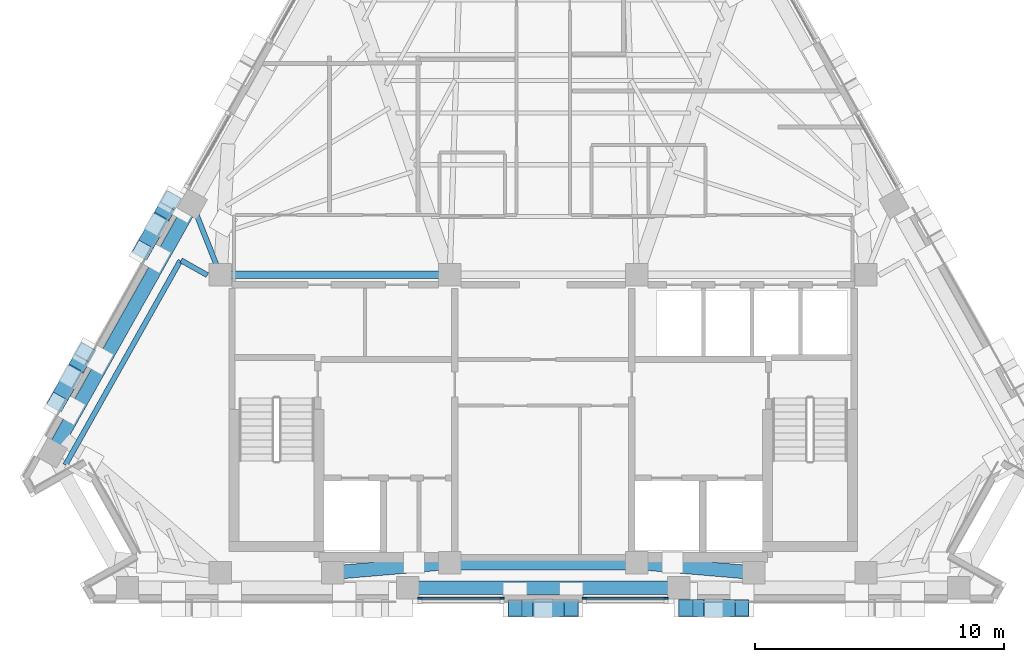
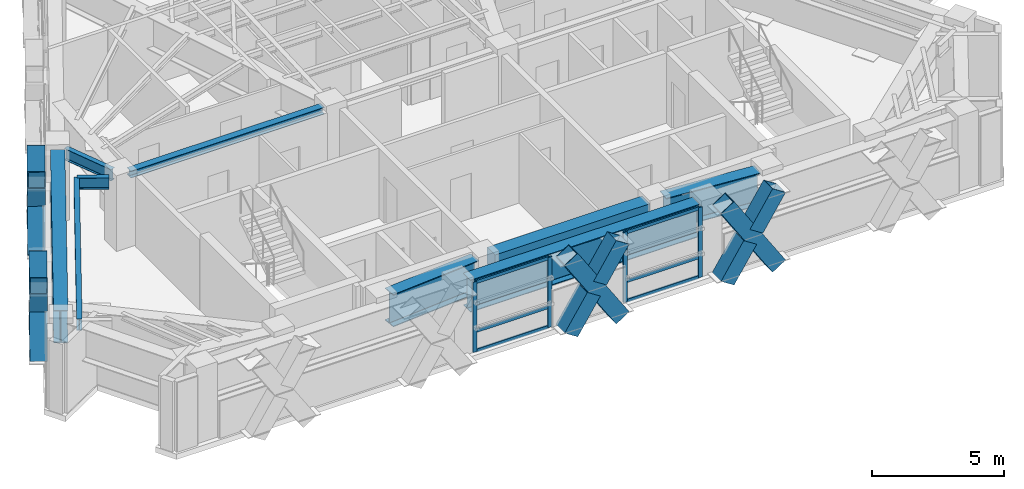
# One storey, part 2 of 13: 22 members, 9 beams, 2 elements without a shape of their own.
"""IFC4 building model written with IfcOpenShell, lengths in metres."""

from ifc_helpers import new_model, si_unit, direction, frame, origin, origin_2d, place, context, subcontext, project, spatial, rectangle, hollow_rectangle, i_section, extrude, material, material_profile, profile_set, type_object, element, aggregate, save


model = new_model("IFC4")

# Units and contexts
model_context = context("Model", 3, precision=1e-05, world=origin(), true_north=direction((0.0, 1.0)))
body_context = subcontext(model_context, "Body", "Model", "MODEL_VIEW")
ifc_project = project(units=[si_unit("LENGTHUNIT", "METRE"), si_unit("AREAUNIT", "SQUARE_METRE"), si_unit("VOLUMEUNIT", "CUBIC_METRE"), si_unit("PLANEANGLEUNIT", "RADIAN"), si_unit("MASSUNIT", "GRAM", prefix="KILO")], contexts=[model_context])

# Site, building, storey
site_placement = place(None, origin())
site = spatial("IfcSite", under=ifc_project, at=site_placement, CompositionType="ELEMENT")
building_placement = place(site_placement, origin())
building = spatial("IfcBuilding", under=site, at=building_placement, Name="Quenlor Broadcast Tower", CompositionType="ELEMENT")
storey_placement = place(building_placement, frame((0.0, 0.0, 225.39990234375)))
storey = spatial("IfcBuildingStorey", under=building, at=storey_placement, Name="L62", CompositionType="ELEMENT", Elevation=225.39990234375)

# Curtain wall, members
ifc_material_1 = material(Name="Architectural Terracotta and Low-E Glazing", Category="masonry")
curtain_wall_type = type_object("IfcCurtainWallType", Name="Unitised Terracotta Curtain Wall System Z4", PredefinedType="NOTDEFINED", material=ifc_material_1)
curtain_wall_1_placement = place(storey_placement, origin())
curtain_wall_1 = element("IfcCurtainWall", 1, at=curtain_wall_1_placement, inside=storey, type_object=curtain_wall_type, Name="L62 Curtain Wall CW4 (L62-S-G1)", PredefinedType="NOTDEFINED")
ifc_material_2 = material(Name="Aluminium 6063-T6", Category="aluminium")
ifc_material_profile_1 = material_profile(ifc_material_2, rectangle(XDim=0.068115234375, YDim=0.179931640625, at=origin_2d()))
ifc_profile_set_1 = profile_set([ifc_material_profile_1], Name="Aluminium 6063-T6 MULL68x180")
member_type_1 = type_object("IfcMemberType", Name="CW4 Aluminium Mullion MULL_CW4", PredefinedType="MULLION", material=ifc_profile_set_1)
member_1_placement = place(storey_placement, frame((4.933837890625, -17.77490234375, 0.0), z_axis=(0.0, 0.0, 1.0), x_axis=(0.0, -1.0, 0.0)))
member_1 = element("IfcMember", 2, at=member_1_placement, type_object=member_type_1, Name="CW4 mullion 1", PredefinedType="MULLION", context=body_context, shape_type="SweptSolid", body=[
    extrude(rectangle(XDim=0.068115234375, YDim=0.179931640625, at=origin_2d()), origin(), (0.0, 0.0, 1.0), 3.25),
])
member_2_placement = place(storey_placement, frame((1.655029296875, -17.77490234375, 0.0), z_axis=(0.0, 0.0, 1.0), x_axis=(0.0, -1.0, 0.0)))
member_2 = element("IfcMember", 3, at=member_2_placement, type_object=member_type_1, Name="CW4 mullion 2", PredefinedType="MULLION", context=body_context, shape_type="SweptSolid", body=[
    extrude(rectangle(XDim=0.068115234375, YDim=0.179931640625, at=origin_2d()), origin(), (0.0, 0.0, 1.0), 3.25),
])

curtain_wall_2_placement = place(storey_placement, origin())
curtain_wall_2 = element("IfcCurtainWall", 4, at=curtain_wall_2_placement, inside=storey, type_object=curtain_wall_type, Name="L62 Curtain Wall CW4 (L62-S-G2)", PredefinedType="NOTDEFINED")
member_3_placement = place(storey_placement, frame((-1.655029296875, -17.77490234375, 0.0), z_axis=(0.0, 0.0, 1.0), x_axis=(0.0, -1.0, 0.0)))
member_3 = element("IfcMember", 5, at=member_3_placement, type_object=member_type_1, Name="CW4 mullion 1", PredefinedType="MULLION", context=body_context, shape_type="SweptSolid", body=[
    extrude(rectangle(XDim=0.068115234375, YDim=0.179931640625, at=origin_2d()), origin(), (0.0, 0.0, 1.0), 3.25),
])
member_4_placement = place(storey_placement, frame((-4.933837890625, -17.77490234375, 0.0), z_axis=(0.0, 0.0, 1.0), x_axis=(0.0, -1.0, 0.0)))
member_4 = element("IfcMember", 6, at=member_4_placement, type_object=member_type_1, Name="CW4 mullion 2", PredefinedType="MULLION", context=body_context, shape_type="SweptSolid", body=[
    extrude(rectangle(XDim=0.068115234375, YDim=0.179931640625, at=origin_2d()), origin(), (0.0, 0.0, 1.0), 3.25),
])

# Member
ifc_material_3 = material(Name="Aluminium 6063-T6", Category="aluminium")
ifc_material_profile_2 = material_profile(ifc_material_3, rectangle(XDim=0.068115234375, YDim=0.14990234375, at=origin_2d()))
ifc_profile_set_2 = profile_set([ifc_material_profile_2], Name="Aluminium 6063-T6 TRAN68x150")
member_type_2 = type_object("IfcMemberType", Name="CW4 Aluminium Transom TRAN_CW4", PredefinedType="USERDEFINED", material=ifc_profile_set_2)
member_5_placement = place(storey_placement, frame((4.89990234375, -17.77490234375, 0.0341796875), z_axis=(-1.0, 0.0, 0.0), x_axis=(0.0, -1.0, 0.0)))
member_5 = element("IfcMember", 7, at=member_5_placement, type_object=member_type_2, Name="CW4 transom 1.1", ObjectType="TRANSOM", PredefinedType="USERDEFINED", context=body_context, shape_type="SweptSolid", body=[
    extrude(rectangle(XDim=0.068115234375, YDim=0.14990234375, at=origin_2d()), origin(), (0.0, 0.0, 1.0), 3.210693359375),
])

member_6_placement = place(storey_placement, frame((4.89990234375, -17.77490234375, 0.9501953125), z_axis=(-1.0, 0.0, 0.0), x_axis=(0.0, -1.0, 0.0)))
member_6 = element("IfcMember", 8, at=member_6_placement, type_object=member_type_2, Name="CW4 transom 1.2", ObjectType="TRANSOM", PredefinedType="USERDEFINED", context=body_context, shape_type="SweptSolid", body=[
    extrude(rectangle(XDim=0.068115234375, YDim=0.14990234375, at=origin_2d()), origin(), (0.0, 0.0, 1.0), 3.210693359375),
])

member_7_placement = place(storey_placement, frame((4.89990234375, -17.77490234375, 3.216064453125), z_axis=(-1.0, 0.0, 0.0), x_axis=(0.0, -1.0, 0.0)))
member_7 = element("IfcMember", 9, at=member_7_placement, type_object=member_type_2, Name="CW4 transom 1.3", ObjectType="TRANSOM", PredefinedType="USERDEFINED", context=body_context, shape_type="SweptSolid", body=[
    extrude(rectangle(XDim=0.068115234375, YDim=0.14990234375, at=origin_2d()), origin(), (0.0, 0.0, 1.0), 3.210693359375),
])

aggregate(curtain_wall_1, [member_1, member_2, member_5, member_6, member_7])

member_8_placement = place(storey_placement, frame((-1.689208984375, -17.77490234375, 0.0341796875), z_axis=(-1.0, 0.0, 0.0), x_axis=(0.0, -1.0, 0.0)))
member_8 = element("IfcMember", 10, at=member_8_placement, type_object=member_type_2, Name="CW4 transom 1.1", ObjectType="TRANSOM", PredefinedType="USERDEFINED", context=body_context, shape_type="SweptSolid", body=[
    extrude(rectangle(XDim=0.068115234375, YDim=0.14990234375, at=origin_2d()), origin(), (0.0, 0.0, 1.0), 3.210693359375),
])

member_9_placement = place(storey_placement, frame((-1.689208984375, -17.77490234375, 0.9501953125), z_axis=(-1.0, 0.0, 0.0), x_axis=(0.0, -1.0, 0.0)))
member_9 = element("IfcMember", 11, at=member_9_placement, type_object=member_type_2, Name="CW4 transom 1.2", ObjectType="TRANSOM", PredefinedType="USERDEFINED", context=body_context, shape_type="SweptSolid", body=[
    extrude(rectangle(XDim=0.068115234375, YDim=0.14990234375, at=origin_2d()), origin(), (0.0, 0.0, 1.0), 3.210693359375),
])

member_10_placement = place(storey_placement, frame((-1.689208984375, -17.77490234375, 3.216064453125), z_axis=(-1.0, 0.0, 0.0), x_axis=(0.0, -1.0, 0.0)))
member_10 = element("IfcMember", 12, at=member_10_placement, type_object=member_type_2, Name="CW4 transom 1.3", ObjectType="TRANSOM", PredefinedType="USERDEFINED", context=body_context, shape_type="SweptSolid", body=[
    extrude(rectangle(XDim=0.068115234375, YDim=0.14990234375, at=origin_2d()), origin(), (0.0, 0.0, 1.0), 3.210693359375),
])

aggregate(curtain_wall_2, [member_3, member_4, member_8, member_9, member_10])

# Beams
ifc_material_4 = material(Name="Concrete C50/60", Category="concrete")
ifc_material_profile_3 = material_profile(ifc_material_4, rectangle(XDim=0.60009765625, YDim=0.800048828125, at=origin_2d()))
ifc_profile_set_3 = profile_set([ifc_material_profile_3], Name="Concrete C50/60 RCB600x800")
beam_type_1 = type_object("IfcBeamType", Name="Core Coupling Beam Concrete C50/60 600x800", PredefinedType="BEAM", material=ifc_profile_set_3)
beam_1_placement = place(storey_placement, frame((-3.389892578125, -16.35009765625, 2.85009765625), z_axis=(1.0, 0.0, 0.0), x_axis=(0.0, 1.0, 0.0)))
element("IfcBeam", 13, at=beam_1_placement, inside=storey, type_object=beam_type_1, Name="L62 Core Coupling Beam 6", PredefinedType="BEAM", context=body_context, shape_type="SweptSolid", body=[
    extrude(rectangle(XDim=0.60009765625, YDim=0.800048828125, at=origin_2d()), origin(), (0.0, 0.0, 1.0), 6.77978515625),
])
ifc_material_5 = material(Name="Steel S355", Category="steel")
ifc_material_profile_4 = material_profile(ifc_material_5, i_section(OverallWidth=0.306884765625, OverallDepth=0.314697265625, WebThickness=0.011962890625, FlangeThickness=0.018798828125, FilletRadius=0.0166015625, at=origin_2d()))
ifc_profile_set_4 = profile_set([ifc_material_profile_4], Name="Steel S355 310UC118")
beam_type_2 = type_object("IfcBeamType", Name="Core Tie Beam Steel S355 310UC118", PredefinedType="BEAM", material=ifc_profile_set_4)
beam_2_placement = place(storey_placement, frame((-12.590087890625, -4.800048828125, 3.0927734375), z_axis=(1.0, 0.0, 0.0), x_axis=(0.0, 1.0, 0.0)))
element("IfcBeam", 14, at=beam_2_placement, inside=storey, type_object=beam_type_2, Name="L62 Core Tie Beam 1", PredefinedType="BEAM", context=body_context, shape_type="SweptSolid", body=[
    extrude(i_section(OverallWidth=0.306884765625, OverallDepth=0.314697265625, WebThickness=0.011962890625, FlangeThickness=0.018798828125, FilletRadius=0.0166015625, at=origin_2d()), origin(), (0.0, 0.0, 1.0), 8.47998046875),
])

# Members
ifc_material_6 = material(Name="Steel S355", Category="steel")
ifc_material_profile_5 = material_profile(ifc_material_6, hollow_rectangle(XDim=0.679931640625, YDim=0.679931640625, WallThickness=0.02490234375, at=origin_2d()))
ifc_profile_set_5 = profile_set([ifc_material_profile_5], Name="Steel S355 RHS680x680x25")
member_type_3 = type_object("IfcMemberType", Name="Perimeter Diagonal Lattice Brace Z3-Z4 Steel S355 RHS680x25", PredefinedType="BRACE", material=ifc_profile_set_5)
member_11_placement = place(storey_placement, frame((7.978515625, -18.169921875, -0.119873046875), z_axis=(-0.541794306908, 0.0, 0.840511111766), x_axis=(0.0, -1.0, 0.0)))
element("IfcMember", 15, at=member_11_placement, inside=storey, type_object=member_type_3, Name="L62 Perimeter Diamond Lattice S-C2XA", PredefinedType="BRACE", context=body_context, shape_type="SweptSolid", body=[
    extrude(hollow_rectangle(XDim=0.679931640625, YDim=0.679931640625, WallThickness=0.02490234375, at=origin_2d()), origin(), (0.0, 0.0, 1.0), 4.1640625),
])
member_12_placement = place(storey_placement, frame((5.722412109375, -18.169921875, -0.119873046875), z_axis=(0.54184151587, 0.0, 0.840480678945), x_axis=(0.0, 1.0, 0.0)))
element("IfcMember", 16, at=member_12_placement, inside=storey, type_object=member_type_3, Name="L62 Perimeter Diamond Lattice S-C2XB1", PredefinedType="BRACE", context=body_context, shape_type="SweptSolid", body=[
    extrude(hollow_rectangle(XDim=0.679931640625, YDim=0.679931640625, WallThickness=0.02490234375, at=origin_2d()), origin(), (0.0, 0.0, 1.0), 1.83203125),
])
member_13_placement = place(storey_placement, frame((6.98583984375, -18.169921875, 1.840087890625), z_axis=(0.541780832962, 0.0, 0.840519796932), x_axis=(0.0, 1.0, 0.0)))
element("IfcMember", 17, at=member_13_placement, inside=storey, type_object=member_type_3, Name="L62 Perimeter Diamond Lattice S-C2XB2", PredefinedType="BRACE", context=body_context, shape_type="SweptSolid", body=[
    extrude(hollow_rectangle(XDim=0.679931640625, YDim=0.679931640625, WallThickness=0.02490234375, at=origin_2d()), origin(), (0.0, 0.0, 1.0), 1.832275390625),
])
member_14_placement = place(storey_placement, frame((1.1279296875, -18.169921875, -0.119873046875), z_axis=(-0.541752885669, 0.0, 0.840537810493), x_axis=(0.0, -1.0, 0.0)))
element("IfcMember", 18, at=member_14_placement, inside=storey, type_object=member_type_3, Name="L62 Perimeter Diamond Lattice S-C3XA", PredefinedType="BRACE", context=body_context, shape_type="SweptSolid", body=[
    extrude(hollow_rectangle(XDim=0.679931640625, YDim=0.679931640625, WallThickness=0.02490234375, at=origin_2d()), origin(), (0.0, 0.0, 1.0), 4.1640625),
])
member_15_placement = place(storey_placement, frame((-1.1279296875, -18.169921875, -0.119873046875), z_axis=(0.54174736867, 0.0, 0.840541366347), x_axis=(0.0, 1.0, 0.0)))
element("IfcMember", 19, at=member_15_placement, inside=storey, type_object=member_type_3, Name="L62 Perimeter Diamond Lattice S-C3XB1", PredefinedType="BRACE", context=body_context, shape_type="SweptSolid", body=[
    extrude(hollow_rectangle(XDim=0.679931640625, YDim=0.679931640625, WallThickness=0.02490234375, at=origin_2d()), origin(), (0.0, 0.0, 1.0), 1.831787109375),
])
member_16_placement = place(storey_placement, frame((0.135498046875, -18.169921875, 1.840087890625), z_axis=(0.541686687545, 0.0, 0.840580473563), x_axis=(0.0, 1.0, 0.0)))
element("IfcMember", 20, at=member_16_placement, inside=storey, type_object=member_type_3, Name="L62 Perimeter Diamond Lattice S-C3XB2", PredefinedType="BRACE", context=body_context, shape_type="SweptSolid", body=[
    extrude(hollow_rectangle(XDim=0.679931640625, YDim=0.679931640625, WallThickness=0.02490234375, at=origin_2d()), origin(), (0.0, 0.0, 1.0), 1.83203125),
])
member_17_placement = place(storey_placement, frame((-19.49609375, -9.912841796875, -0.119873046875), z_axis=(0.269547055694, 0.479136497832, 0.835327840559), x_axis=(-0.871550060774, 0.49030652817, 0.0)))
element("IfcMember", 21, at=member_17_placement, inside=storey, type_object=member_type_3, Name="L62 Perimeter Diamond Lattice NW-C1XA", PredefinedType="BRACE", context=body_context, shape_type="SweptSolid", body=[
    extrude(hollow_rectangle(XDim=0.679931640625, YDim=0.679931640625, WallThickness=0.02490234375, at=origin_2d()), origin(), (0.0, 0.0, 1.0), 4.18994140625),
])
for number, where, z_axis, x_axis, name in (
    (22, (-18.36669921875, -7.9052734375, -0.119873046875), (-0.269535527865, -0.479130165145, 0.835335192642), (0.871556252289, -0.490295522207, 0.0), "L62 Perimeter Diamond Lattice NW-C1XB1"),
    (23, (-18.998779296875, -9.02880859375, 1.8388671875), (-0.269535527865, -0.479130165145, 0.835335192642), (0.871556252289, -0.490295522207, 0.0), "L62 Perimeter Diamond Lattice NW-C1XB2"),
):
    element("IfcMember", number, at=place(storey_placement, frame(where, z_axis=z_axis, x_axis=x_axis)), inside=storey, type_object=member_type_3, Name=name, PredefinedType="BRACE", context=body_context, shape_type="SweptSolid", body=[
        extrude(hollow_rectangle(XDim=0.679931640625, YDim=0.679931640625, WallThickness=0.02490234375, at=origin_2d()), origin(), (0.0, 0.0, 1.0), 1.844970703125),
    ])
member_18_placement = place(storey_placement, frame((-16.06689453125, -3.816650390625, -0.119873046875), z_axis=(0.269547055694, 0.479136497832, 0.835327840559), x_axis=(-0.871550060774, 0.49030652817, 0.0)))
element("IfcMember", 24, at=member_18_placement, inside=storey, type_object=member_type_3, Name="L62 Perimeter Diamond Lattice NW-C2XA", PredefinedType="BRACE", context=body_context, shape_type="SweptSolid", body=[
    extrude(hollow_rectangle(XDim=0.679931640625, YDim=0.679931640625, WallThickness=0.02490234375, at=origin_2d()), origin(), (0.0, 0.0, 1.0), 4.18994140625),
])
for number, where, z_axis, x_axis, name in (
    (25, (-14.9375, -1.80908203125, -0.119873046875), (-0.269535527865, -0.479130165145, 0.835335192642), (0.871556252289, -0.490295522207, 0.0), "L62 Perimeter Diamond Lattice NW-C2XB1"),
    (26, (-15.569580078125, -2.9326171875, 1.8388671875), (-0.269535527865, -0.479130165145, 0.835335192642), (0.871556252289, -0.490295522207, 0.0), "L62 Perimeter Diamond Lattice NW-C2XB2"),
):
    element("IfcMember", number, at=place(storey_placement, frame(where, z_axis=z_axis, x_axis=x_axis)), inside=storey, type_object=member_type_3, Name=name, PredefinedType="BRACE", context=body_context, shape_type="SweptSolid", body=[
        extrude(hollow_rectangle(XDim=0.679931640625, YDim=0.679931640625, WallThickness=0.02490234375, at=origin_2d()), origin(), (0.0, 0.0, 1.0), 1.844970703125),
    ])

# Beams
ifc_material_7 = material(Name="Steel S355", Category="steel")
ifc_material_profile_6 = material_profile(ifc_material_7, i_section(OverallWidth=0.208984375, OverallDepth=0.532958984375, WebThickness=0.01025390625, FlangeThickness=0.015625, FilletRadius=0.013916015625, at=origin_2d()))
ifc_profile_set_6 = profile_set([ifc_material_profile_6], Name="Steel S355 530UB92.4")
beam_type_3 = type_object("IfcBeamType", Name="Perimeter Spandrel Beam Z1 Steel S355 530UB92.4", PredefinedType="SPANDREL", material=ifc_profile_set_6)
beam_3_placement = place(storey_placement, frame((-13.472412109375, -4.81494140625, 2.983642578125), z_axis=(-0.871575537125, 0.490261239633, 0.0), x_axis=(-0.490261239633, -0.871575537125, 0.0)))
element("IfcBeam", 27, at=beam_3_placement, inside=storey, type_object=beam_type_3, Name="L62 Lattice Sill Radial Tie NWA2", PredefinedType="SPANDREL", context=body_context, shape_type="SweptSolid", body=[
    extrude(i_section(OverallWidth=0.208984375, OverallDepth=0.532958984375, WebThickness=0.01025390625, FlangeThickness=0.015625, FilletRadius=0.013916015625, at=origin_2d()), origin(), (0.0, 0.0, 1.0), 1.210205078125),
])
beam_4_placement = place(storey_placement, frame((-19.1669921875, -12.43017578125, 2.983642578125), z_axis=(0.490242760941, 0.871585931131, 0.0), x_axis=(-0.871585931131, 0.490242760941, 0.0)))
element("IfcBeam", 28, at=beam_4_placement, inside=storey, type_object=beam_type_3, Name="L62 Lattice Sill Girder NWA", PredefinedType="SPANDREL", context=body_context, shape_type="SweptSolid", body=[
    extrude(i_section(OverallWidth=0.208984375, OverallDepth=0.532958984375, WebThickness=0.01025390625, FlangeThickness=0.015625, FilletRadius=0.013916015625, at=origin_2d()), origin(), (0.0, 0.0, 1.0), 9.4091796875),
])
ifc_material_8 = material(Name="Steel S355", Category="steel")
ifc_material_profile_7 = material_profile(ifc_material_8, i_section(OverallWidth=0.208984375, OverallDepth=0.5283203125, WebThickness=0.009521484375, FlangeThickness=0.01318359375, FilletRadius=0.013916015625, at=origin_2d()))
ifc_profile_set_7 = profile_set([ifc_material_profile_7], Name="Steel S355 530UB82.0")
beam_type_4 = type_object("IfcBeamType", Name="Tower Primary Floor Beam Z4 Steel S355 530UB82.0", PredefinedType="BEAM", material=ifc_profile_set_7)
beam_5_placement = place(storey_placement, frame((-13.926513671875, -2.33349609375, 2.986083984375), z_axis=(0.368110359783, -0.92978210513, 0.0), x_axis=(0.92978210513, 0.368110359783, 0.0)))
element("IfcBeam", 29, at=beam_5_placement, inside=storey, type_object=beam_type_4, Name="L62 Primary Radial Beam NW3", PredefinedType="BEAM", context=body_context, shape_type="SweptSolid", body=[
    extrude(i_section(OverallWidth=0.208984375, OverallDepth=0.5283203125, WebThickness=0.009521484375, FlangeThickness=0.01318359375, FilletRadius=0.013916015625, at=origin_2d()), origin(), (0.0, 0.0, 1.0), 2.27294921875),
])
ifc_material_9 = material(Name="Steel S355", Category="steel")
ifc_material_profile_8 = material_profile(ifc_material_9, i_section(OverallWidth=0.550048828125, OverallDepth=1.5, WebThickness=0.02197265625, FlangeThickness=0.034912109375, FilletRadius=0.01806640625, at=origin_2d()))
ifc_profile_set_8 = profile_set([ifc_material_profile_8], Name="Steel S355 1500TG510")
beam_type_5 = type_object("IfcBeamType", Name="Zone Setback Transfer Girder Steel S355 1500", PredefinedType="BEAM", material=ifc_profile_set_8)
beam_6_placement = place(storey_placement, frame((-5.02783203125, -17.35009765625, 2.5), z_axis=(1.0, 0.0, 0.0), x_axis=(0.0, 1.0, 0.0)))
element("IfcBeam", 30, at=beam_6_placement, inside=storey, type_object=beam_type_5, Name="L62 Spandrel Beam S2-S3", PredefinedType="BEAM", context=body_context, shape_type="SweptSolid", body=[
    extrude(i_section(OverallWidth=0.550048828125, OverallDepth=1.5, WebThickness=0.02197265625, FlangeThickness=0.034912109375, FilletRadius=0.01806640625, at=origin_2d()), origin(), (0.0, 0.0, 1.0), 10.0556640625),
])
beam_7_placement = place(storey_placement, frame((-14.2783203125, -2.3095703125, 2.5), z_axis=(-0.490272131974, -0.871569410093, 0.0), x_axis=(0.871569410093, -0.490272131974, 0.0)))
element("IfcBeam", 31, at=beam_7_placement, inside=storey, type_object=beam_type_5, Name="L62 Spandrel Beam NW3-NW4", PredefinedType="BEAM", context=body_context, shape_type="SweptSolid", body=[
    extrude(i_section(OverallWidth=0.550048828125, OverallDepth=1.5, WebThickness=0.02197265625, FlangeThickness=0.034912109375, FilletRadius=0.01806640625, at=origin_2d()), origin(), (0.0, 0.0, 1.0), 10.6416015625),
])
for number, where, z_axis, x_axis, name in (
    (32, (-4.128662109375, -16.382080078125, 2.5), (-0.996394789765, -0.084837626845, 0.0), (0.084837626845, -0.996394789765, 0.0), "L62 Setback Transfer Girder S2"),
    (33, (4.128662109375, -16.382080078125, 2.5), (0.996394789765, -0.084837626845, 0.0), (0.084837626845, 0.996394789765, 0.0), "L62 Setback Transfer Girder S3"),
):
    element("IfcBeam", number, at=place(storey_placement, frame(where, z_axis=z_axis, x_axis=x_axis)), inside=storey, type_object=beam_type_5, Name=name, PredefinedType="BEAM", context=body_context, shape_type="SweptSolid", body=[
        extrude(i_section(OverallWidth=0.550048828125, OverallDepth=1.5, WebThickness=0.02197265625, FlangeThickness=0.034912109375, FilletRadius=0.01806640625, at=origin_2d()), origin(), (0.0, 0.0, 1.0), 3.956787109375),
    ])

save(model, "model.ifc")
